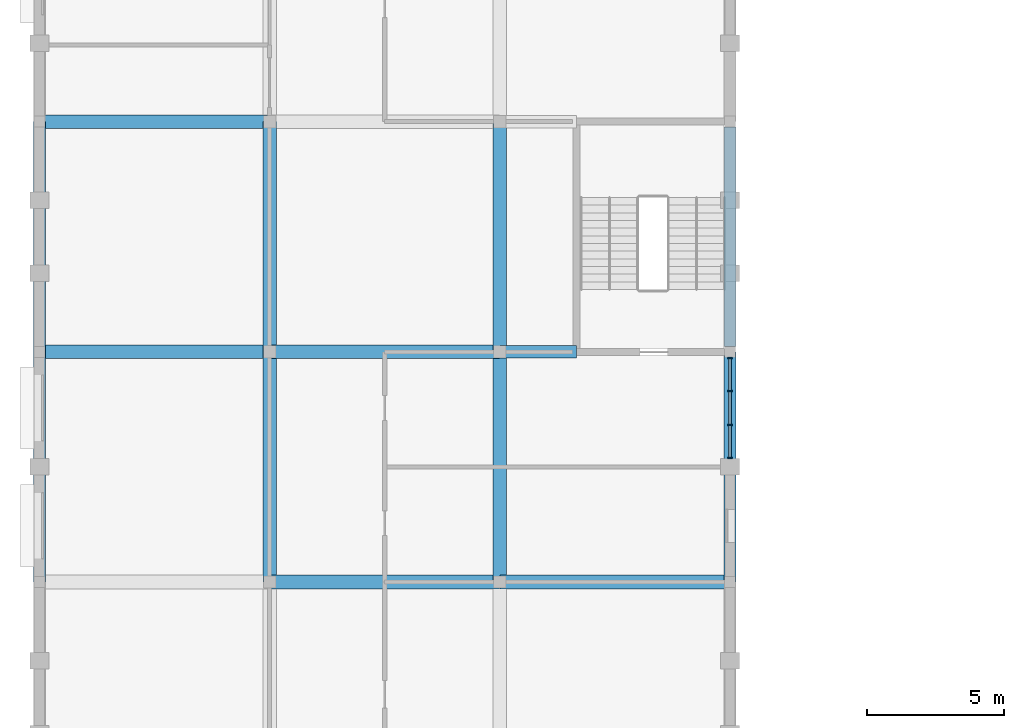
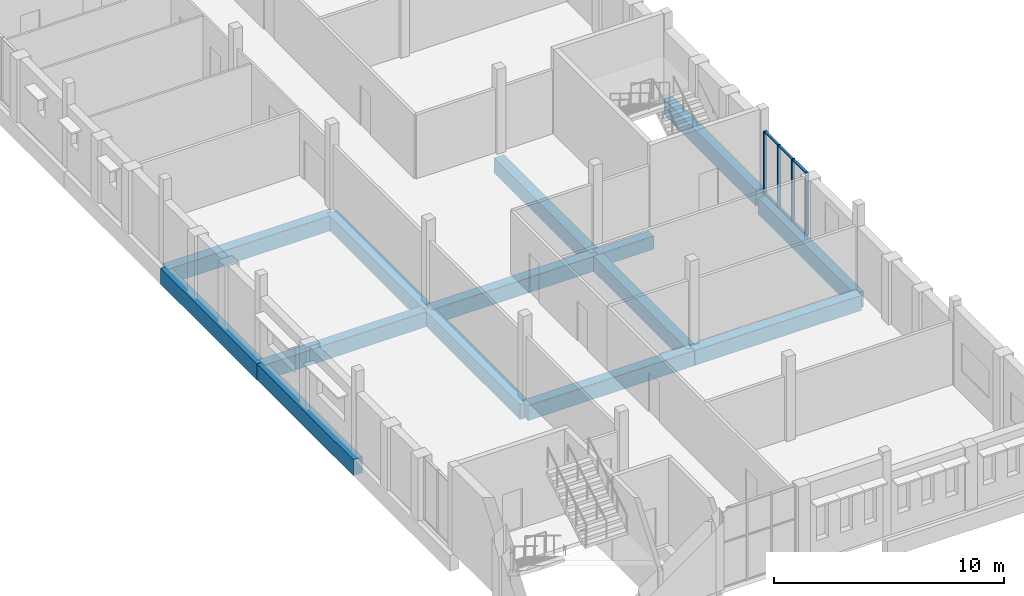
# One storey, part 4 of 30: 14 beams, 10 members, 1 element without a shape of its own.
"""IFC4 building model written with IfcOpenShell, lengths in metres."""

import ifcopenshell
import ifcopenshell.guid

model = None  # the IFC model being written
_history = None  # IfcOwnerHistory: only IFC2X3 demands one
_inside = {}  # id of a spatial element -> (the spatial element, [elements in it])
_under = {}  # id of a project, library or spatial element -> (it, [spatial elements below it])
_declared = {}  # id of a project -> (the project, [libraries it declares])
_typed = {}  # id of a type object -> (the type object, [elements of that type])
_made_of = {}  # id of a material, layer set ... -> (it, [elements and type objects made of it])


def new_model(schema):
    """Start an empty IFC model of exactly this schema.

    Asked for "IFC4X3", IfcOpenShell would pick the latest addendum, in which some entities
    have other attributes; the version numbers below select the first issue.
    IFC2X3 requires an IfcOwnerHistory on every rooted entity: one is made here for all.
    """
    global model, _history
    if schema == "IFC4X3":
        model = ifcopenshell.file(schema_version=(4, 3, 0, 0))
    else:
        model = ifcopenshell.file(schema=schema)
    _inside.clear()
    _under.clear()
    _declared.clear()
    _typed.clear()
    _made_of.clear()
    _history = None
    if model.schema == "IFC2X3":
        org = make("IfcOrganization", Name="unknown")
        user = make(
            "IfcPersonAndOrganization",
            ThePerson=make("IfcPerson", FamilyName="unknown"),
            TheOrganization=org,
        )
        app = make(
            "IfcApplication",
            ApplicationDeveloper=org,
            Version="unknown",
            ApplicationFullName="unknown",
            ApplicationIdentifier="unknown",
        )
        _history = make(
            "IfcOwnerHistory",
            OwningUser=user,
            OwningApplication=app,
            ChangeAction="ADDED",
            CreationDate=0,
        )
    return model


def make(cls, **values):
    """One entity of the class cls with the attributes given. An attribute that is None is left unset."""
    return model.create_entity(
        cls, **{name: value for name, value in values.items() if value is not None}
    )


def rooted(cls, **values):
    """An entity with a GlobalId (a new one), such as an element, a storey or a relation."""
    return make(cls, GlobalId=ifcopenshell.guid.new(), OwnerHistory=_history, **values)


def si_unit(unit_type, name, prefix=None):
    """IfcSIUnit, for example si_unit("LENGTHUNIT", "METRE", prefix="MILLI")."""
    return make("IfcSIUnit", UnitType=unit_type, Prefix=prefix, Name=name)


def assignment(units):
    """IfcUnitAssignment: the units of a project."""
    return None if units is None else make("IfcUnitAssignment", Units=units)


def point(xyz):
    """IfcCartesianPoint."""
    return None if xyz is None else make("IfcCartesianPoint", Coordinates=xyz)


def direction(xyz):
    """IfcDirection."""
    return None if xyz is None else make("IfcDirection", DirectionRatios=xyz)


def frame(location, z_axis=None, x_axis=None):
    """IfcAxis2Placement3D, a coordinate frame: its origin and axes. An axis left out is left unset."""
    return make(
        "IfcAxis2Placement3D",
        Location=point(location),
        Axis=direction(z_axis),
        RefDirection=direction(x_axis),
    )


def frame_2d(location, x_axis=None):
    """IfcAxis2Placement2D, a coordinate frame in the plane: its origin and x axis."""
    return make(
        "IfcAxis2Placement2D", Location=point(location), RefDirection=direction(x_axis)
    )


def origin():
    """The frame at (0, 0, 0) with its axes left unset."""
    return frame((0.0, 0.0, 0.0))


def origin_2d():
    """The frame at (0, 0) in the plane with its x axis left unset."""
    return frame_2d((0.0, 0.0))


def place(relative_to, where):
    """IfcLocalPlacement: puts the frame where relative to a parent placement (None: the world)."""
    return make(
        "IfcLocalPlacement", PlacementRelTo=relative_to, RelativePlacement=where
    )


def context(
    kind, dimensions, precision=None, world=None, true_north=None, identifier=None
):
    """IfcGeometricRepresentationContext, for example the 3D "Model" context."""
    return make(
        "IfcGeometricRepresentationContext",
        ContextIdentifier=identifier,
        ContextType=kind,
        CoordinateSpaceDimension=dimensions,
        Precision=precision,
        WorldCoordinateSystem=world,
        TrueNorth=true_north,
    )


def subcontext(parent, identifier, kind, view, scale=None):
    """IfcGeometricRepresentationSubContext, for example "Body" below "Model"."""
    return make(
        "IfcGeometricRepresentationSubContext",
        ContextIdentifier=identifier,
        ContextType=kind,
        ParentContext=parent,
        TargetScale=scale,
        TargetView=view,
    )


def project(units=None, contexts=None):
    """IfcProject with its units and contexts."""
    return rooted(
        "IfcProject",
        Name="project",
        RepresentationContexts=contexts,
        UnitsInContext=assignment(units),
    )


def spatial(cls, under=None, at=None, **own):
    """A site, building, storey or space (cls), placed at a placement, below another one or the project."""
    s = rooted(cls, ObjectPlacement=at, **own)
    if under is not None:
        _under.setdefault(under.id(), (under, []))[1].append(s)
    return s


def profile(cls, at=None, kind="AREA", **sizes):
    """A parametric profile (cls). Its sizes go by their IFC names, for example OverallWidth=200.0."""
    return make(cls, ProfileType=kind, Position=at, **sizes)


def rectangle(**sizes):
    """IfcRectangleProfileDef."""
    return profile("IfcRectangleProfileDef", **sizes)


def extrude(swept, where, along, depth):
    """IfcExtrudedAreaSolid: the profile swept, set in the frame where, extruded along a direction by depth."""
    return make(
        "IfcExtrudedAreaSolid",
        SweptArea=swept,
        Position=where,
        ExtrudedDirection=direction(along),
        Depth=depth,
    )


def shape(context_of_items, identifier, shape_type, items):
    """IfcShapeRepresentation: the items that make up one representation, for example the "Body"."""
    return make(
        "IfcShapeRepresentation",
        ContextOfItems=context_of_items,
        RepresentationIdentifier=identifier,
        RepresentationType=shape_type,
        Items=items,
    )


def material(Name=None, Category=None):
    """IfcMaterial."""
    return make("IfcMaterial", Name=Name, Category=Category)


def material_profile(
    of_material, cross_section, Name=None, Category=None, Priority=None
):
    """IfcMaterialProfile: a cross section and its material."""
    return make(
        "IfcMaterialProfile",
        Name=Name,
        Material=of_material,
        Profile=cross_section,
        Priority=Priority,
        Category=Category,
    )


def profile_set(profiles, Name=None, composite=None):
    """IfcMaterialProfileSet."""
    return make(
        "IfcMaterialProfileSet",
        Name=Name,
        MaterialProfiles=profiles,
        CompositeProfile=composite,
    )


def made_of(thing, what):
    """Note that an element or type object is made of a material, layer set ...; save() writes the relation."""
    if what is not None:
        _made_of.setdefault(what.id(), (what, []))[1].append(thing)
    return thing


def type_object(cls, material=None, **own):
    """A type object (cls), such as IfcWallType, which elements share."""
    return made_of(rooted(cls, **own), material)


def element(
    cls,
    number,
    at=None,
    inside=None,
    cuts=None,
    type_object=None,
    material=None,
    context=None,
    identifier="Body",
    shape_type=None,
    held_by="IfcProductDefinitionShape",
    body=None,
    shapes=None,
    **own,
):
    """One element of the class cls, such as IfcWall. Its Tag is "e" and its number.

    at: its placement. inside: the storey or other place that contains it. cuts: it is an
    opening in that element (IfcRelVoidsElement). A single representation is given by context,
    identifier, shape_type and body (its items); several are given by shapes. held_by: the class
    of the entity that holds the representations. save() writes the other relations.
    """
    e = rooted(cls, Tag="e%d" % number, ObjectPlacement=at, **own)
    if body is not None:
        shapes = [shape(context, identifier, shape_type, body)]
    if shapes is not None:
        e.Representation = make(held_by, Representations=shapes)
    if inside is not None:
        _inside.setdefault(inside.id(), (inside, []))[1].append(e)
    if cuts is not None:
        rooted(
            "IfcRelVoidsElement", RelatingBuildingElement=cuts, RelatedOpeningElement=e
        )
    if type_object is not None:
        _typed.setdefault(type_object.id(), (type_object, []))[1].append(e)
    return made_of(e, material)


def aggregate(whole, parts):
    """IfcRelAggregates: a whole, such as a stair, and the parts it consists of."""
    return rooted("IfcRelAggregates", RelatingObject=whole, RelatedObjects=parts)


def save(model, path):
    """Write the relations noted so far, then the file.

    IfcRelAggregates (storeys below a building ...), IfcRelContainedInSpatialStructure (elements
    in a storey), IfcRelDefinesByType, IfcRelAssociatesMaterial and IfcRelDeclares: one each for
    every whole, place, type object, material and project.
    """
    for whole, parts in _under.values():
        aggregate(whole, parts)
    for where, things in _inside.values():
        rooted(
            "IfcRelContainedInSpatialStructure",
            RelatedElements=things,
            RelatingStructure=where,
        )
    for kind, things in _typed.values():
        rooted("IfcRelDefinesByType", RelatedObjects=things, RelatingType=kind)
    for what, things in _made_of.values():
        rooted("IfcRelAssociatesMaterial", RelatedObjects=things, RelatingMaterial=what)
    for by, libraries in _declared.values():
        rooted("IfcRelDeclares", RelatingContext=by, RelatedDefinitions=libraries)
    model.write(path)


model = new_model("IFC4")

# Units and contexts
model_context = context("Model", 3, precision=1e-05, world=origin(), true_north=direction((0.0, 1.0)))
body_context = subcontext(model_context, "Body", "Model", "MODEL_VIEW")
ifc_project = project(units=[si_unit("LENGTHUNIT", "METRE"), si_unit("AREAUNIT", "SQUARE_METRE"), si_unit("VOLUMEUNIT", "CUBIC_METRE"), si_unit("PLANEANGLEUNIT", "RADIAN"), si_unit("MASSUNIT", "GRAM", prefix="KILO")], contexts=[model_context])

# Site, building, storey
site_placement = place(None, origin())
site = spatial("IfcSite", under=ifc_project, at=site_placement, CompositionType="ELEMENT")
building_placement = place(site_placement, origin())
building = spatial("IfcBuilding", under=site, at=building_placement, Name="Fescue Hill Polytechnic", CompositionType="ELEMENT")
storey_placement = place(building_placement, frame((0.0, 0.0, 22.5)))
storey = spatial("IfcBuildingStorey", under=building, at=storey_placement, Name="L05", CompositionType="ELEMENT", Elevation=22.5)

# Beams
ifc_material_1 = material(Name="Concrete 35 MPa", Category="concrete")
ifc_material_profile_1 = material_profile(ifc_material_1, rectangle(XDim=0.449951171875, YDim=0.699951171875, at=origin_2d()), Name="RC 450x700")
ifc_profile_set_1 = profile_set([ifc_material_profile_1], Name="Concrete 35 MPa")
beam_type_1 = type_object("IfcBeamType", Name="Beam RC 450x700", PredefinedType="BEAM", material=ifc_profile_set_1)
beam_1_placement = place(storey_placement, frame((16.81005859375, 75.60009765625, -0.64990234375), z_axis=(1.0, 0.0, 0.0), x_axis=(0.0, 1.0, 0.0)))
element("IfcBeam", 1, at=beam_1_placement, inside=storey, type_object=beam_type_1, Name="BM-L05-0045", PredefinedType="BEAM", context=body_context, shape_type="SweptSolid", body=[
    extrude(rectangle(XDim=0.449951171875, YDim=0.699951171875, at=origin_2d()), origin(), (0.0, 0.0, 1.0), 2.7900390625),
])
ifc_material_profile_2 = material_profile(ifc_material_1, rectangle(XDim=0.449951171875, YDim=0.85009765625, at=origin_2d()), Name="RC 450x850")
ifc_profile_set_2 = profile_set([ifc_material_profile_2], Name="Concrete 35 MPa")
beam_type_2 = type_object("IfcBeamType", Name="Beam RC 450x850", PredefinedType="BEAM", material=ifc_profile_set_2)
beam_2_placement = place(storey_placement, frame((0.0, 67.199951171875, -0.72509765625), z_axis=(0.0, 1.0, 0.0), x_axis=(-1.0, 0.0, 0.0)))
element("IfcBeam", 2, at=beam_2_placement, inside=storey, type_object=beam_type_2, Name="BM-L05-0002", PredefinedType="BEAM", context=body_context, shape_type="SweptSolid", body=[
    extrude(rectangle(XDim=0.449951171875, YDim=0.85009765625, at=origin_2d()), origin(), (0.0, 0.0, 1.0), 8.400146484375),
])
beam_3_placement = place(storey_placement, frame((0.0, 75.60009765625, -0.72509765625), z_axis=(0.0, 1.0, 0.0), x_axis=(-1.0, 0.0, 0.0)))
element("IfcBeam", 3, at=beam_3_placement, inside=storey, type_object=beam_type_2, Name="BM-L05-0003", PredefinedType="BEAM", context=body_context, shape_type="SweptSolid", body=[
    extrude(rectangle(XDim=0.449951171875, YDim=0.85009765625, at=origin_2d()), origin(), (0.0, 0.0, 1.0), 8.39990234375),
])
beam_4_placement = place(storey_placement, frame((25.199951171875, 67.199951171875, -0.72509765625), z_axis=(0.0, 1.0, 0.0), x_axis=(-1.0, 0.0, 0.0)))
element("IfcBeam", 4, at=beam_4_placement, inside=storey, type_object=beam_type_2, Name="BM-L05-0052", PredefinedType="BEAM", context=body_context, shape_type="SweptSolid", body=[
    extrude(rectangle(XDim=0.449951171875, YDim=0.85009765625, at=origin_2d()), origin(), (0.0, 0.0, 1.0), 8.400146484375),
])
beam_5_placement = place(storey_placement, frame((25.199951171875, 75.800048828125, -0.425048828125), z_axis=(0.0, 1.0, 0.0), x_axis=(-1.0, 0.0, 0.0)))
element("IfcBeam", 5, at=beam_5_placement, inside=storey, type_object=beam_type_2, Name="BM-L05-0110", PredefinedType="BEAM", context=body_context, shape_type="SweptSolid", body=[
    extrude(rectangle(XDim=0.449951171875, YDim=0.85009765625, at=origin_2d()), origin(), (0.0, 0.0, 1.0), 8.0),
])
ifc_material_profile_3 = material_profile(ifc_material_1, rectangle(XDim=0.5, YDim=0.800048828125, at=origin_2d()), Name="RC 500x800")
ifc_profile_set_3 = profile_set([ifc_material_profile_3], Name="Concrete 35 MPa")
beam_type_3 = type_object("IfcBeamType", Name="Beam RC 500x800", PredefinedType="BEAM", material=ifc_profile_set_3)
for number, where, z_axis, x_axis, name in (
    (6, (0.010009765625, 75.60009765625, -0.699951171875), (1.0, 0.0, 0.0), (0.0, 1.0, 0.0), "BM-L05-0009"),
    (7, (0.010009765625, 84.0, -0.699951171875), (1.0, 0.0, 0.0), (0.0, 1.0, 0.0), "BM-L05-0010"),
):
    element("IfcBeam", number, at=place(storey_placement, frame(where, z_axis=z_axis, x_axis=x_axis)), inside=storey, type_object=beam_type_3, Name=name, PredefinedType="BEAM", context=body_context, shape_type="SweptSolid", body=[
        extrude(rectangle(XDim=0.5, YDim=0.800048828125, at=origin_2d()), origin(), (0.0, 0.0, 1.0), 8.3798828125),
    ])
beam_6_placement = place(storey_placement, frame((8.39990234375, 67.199951171875, -0.699951171875), z_axis=(0.0, 1.0, 0.0), x_axis=(-1.0, 0.0, 0.0)))
element("IfcBeam", 8, at=beam_6_placement, inside=storey, type_object=beam_type_3, Name="BM-L05-0018", PredefinedType="BEAM", context=body_context, shape_type="SweptSolid", body=[
    extrude(rectangle(XDim=0.5, YDim=0.800048828125, at=origin_2d()), origin(), (0.0, 0.0, 1.0), 8.400146484375),
])
beam_7_placement = place(storey_placement, frame((8.39990234375, 75.60009765625, -0.699951171875), z_axis=(0.0, 1.0, 0.0), x_axis=(-1.0, 0.0, 0.0)))
element("IfcBeam", 9, at=beam_7_placement, inside=storey, type_object=beam_type_3, Name="BM-L05-0019", PredefinedType="BEAM", context=body_context, shape_type="SweptSolid", body=[
    extrude(rectangle(XDim=0.5, YDim=0.800048828125, at=origin_2d()), origin(), (0.0, 0.0, 1.0), 8.39990234375),
])
for number, where, z_axis, x_axis, name in (
    (10, (8.409912109375, 67.199951171875, -0.699951171875), (1.0, 0.0, 0.0), (0.0, 1.0, 0.0), "BM-L05-0025"),
    (11, (8.409912109375, 75.60009765625, -0.699951171875), (1.0, 0.0, 0.0), (0.0, 1.0, 0.0), "BM-L05-0026"),
):
    element("IfcBeam", number, at=place(storey_placement, frame(where, z_axis=z_axis, x_axis=x_axis)), inside=storey, type_object=beam_type_3, Name=name, PredefinedType="BEAM", context=body_context, shape_type="SweptSolid", body=[
        extrude(rectangle(XDim=0.5, YDim=0.800048828125, at=origin_2d()), origin(), (0.0, 0.0, 1.0), 8.380126953125),
    ])
beam_8_placement = place(storey_placement, frame((16.800048828125, 67.199951171875, -0.699951171875), z_axis=(0.0, 1.0, 0.0), x_axis=(-1.0, 0.0, 0.0)))
element("IfcBeam", 12, at=beam_8_placement, inside=storey, type_object=beam_type_3, Name="BM-L05-0034", PredefinedType="BEAM", context=body_context, shape_type="SweptSolid", body=[
    extrude(rectangle(XDim=0.5, YDim=0.800048828125, at=origin_2d()), origin(), (0.0, 0.0, 1.0), 8.400146484375),
])
beam_9_placement = place(storey_placement, frame((16.800048828125, 75.60009765625, -0.699951171875), z_axis=(0.0, 1.0, 0.0), x_axis=(-1.0, 0.0, 0.0)))
element("IfcBeam", 13, at=beam_9_placement, inside=storey, type_object=beam_type_3, Name="BM-L05-0035", PredefinedType="BEAM", context=body_context, shape_type="SweptSolid", body=[
    extrude(rectangle(XDim=0.5, YDim=0.800048828125, at=origin_2d()), origin(), (0.0, 0.0, 1.0), 8.39990234375),
])
beam_10_placement = place(storey_placement, frame((16.81005859375, 67.199951171875, -0.699951171875), z_axis=(1.0, 0.0, 0.0), x_axis=(0.0, 1.0, 0.0)))
element("IfcBeam", 14, at=beam_10_placement, inside=storey, type_object=beam_type_3, Name="BM-L05-0044", PredefinedType="BEAM", context=body_context, shape_type="SweptSolid", body=[
    extrude(rectangle(XDim=0.5, YDim=0.800048828125, at=origin_2d()), origin(), (0.0, 0.0, 1.0), 8.3798828125),
])

# Curtain wall, members
ifc_material_2 = material(Name="Glass", Category="glass")
curtain_wall_type = type_object("IfcCurtainWallType", Name="Curtain wall structural glazing", PredefinedType="NOTDEFINED", material=ifc_material_2)
curtain_wall_placement = place(storey_placement, origin())
curtain_wall = element("IfcCurtainWall", 15, at=curtain_wall_placement, inside=storey, type_object=curtain_wall_type, Name="CW-L05-V4-X3", PredefinedType="NOTDEFINED")
ifc_material_3 = material(Name="Powder-coated aluminium", Category="aluminium")
ifc_material_profile_4 = material_profile(ifc_material_3, rectangle(XDim=0.159912109375, YDim=0.06005859375, at=origin_2d()), Name="Mullion aluminium 60x160")
ifc_profile_set_4 = profile_set([ifc_material_profile_4], Name="Powder-coated aluminium")
member_type_1 = type_object("IfcMemberType", Name="Mullion aluminium 60x160", PredefinedType="MULLION", material=ifc_profile_set_4)
member_1_placement = place(storey_placement, frame((25.199951171875, 71.72998046875, 0.0), z_axis=(0.0, 0.0, 1.0), x_axis=(-1.0, 0.0, 0.0)))
member_1 = element("IfcMember", 16, at=member_1_placement, type_object=member_type_1, Name="CW138 mullion 1", PredefinedType="MULLION", context=body_context, shape_type="SweptSolid", body=[
    extrude(rectangle(XDim=0.159912109375, YDim=0.06005859375, at=origin_2d()), origin(), (0.0, 0.0, 1.0), 3.330078125),
])
member_2_placement = place(storey_placement, frame((25.199951171875, 72.933349609375, 0.0), z_axis=(0.0, 0.0, 1.0), x_axis=(-1.0, 0.0, 0.0)))
member_2 = element("IfcMember", 17, at=member_2_placement, type_object=member_type_1, Name="CW138 mullion 2", PredefinedType="MULLION", context=body_context, shape_type="SweptSolid", body=[
    extrude(rectangle(XDim=0.159912109375, YDim=0.06005859375, at=origin_2d()), origin(), (0.0, 0.0, 1.0), 3.330078125),
])
member_3_placement = place(storey_placement, frame((25.199951171875, 74.166748046875, 0.0), z_axis=(0.0, 0.0, 1.0), x_axis=(-1.0, 0.0, 0.0)))
member_3 = element("IfcMember", 18, at=member_3_placement, type_object=member_type_1, Name="CW138 mullion 3", PredefinedType="MULLION", context=body_context, shape_type="SweptSolid", body=[
    extrude(rectangle(XDim=0.159912109375, YDim=0.06005859375, at=origin_2d()), origin(), (0.0, 0.0, 1.0), 3.330078125),
])
member_4_placement = place(storey_placement, frame((25.199951171875, 75.3701171875, 0.0), z_axis=(0.0, 0.0, 1.0), x_axis=(-1.0, 0.0, 0.0)))
member_4 = element("IfcMember", 19, at=member_4_placement, type_object=member_type_1, Name="CW138 mullion 4", PredefinedType="MULLION", context=body_context, shape_type="SweptSolid", body=[
    extrude(rectangle(XDim=0.159912109375, YDim=0.06005859375, at=origin_2d()), origin(), (0.0, 0.0, 1.0), 3.330078125),
])
ifc_material_profile_5 = material_profile(ifc_material_3, rectangle(XDim=0.1201171875, YDim=0.06005859375, at=origin_2d()), Name="Transom aluminium 60x120")
ifc_profile_set_5 = profile_set([ifc_material_profile_5], Name="Powder-coated aluminium")
member_type_2 = type_object("IfcMemberType", Name="Transom aluminium 60x120", PredefinedType="USERDEFINED", material=ifc_profile_set_5)
member_5_placement = place(storey_placement, frame((25.199951171875, 71.760009765625, 0.030029296875), z_axis=(0.0, 1.0, 0.0), x_axis=(-1.0, 0.0, 0.0)))
member_5 = element("IfcMember", 20, at=member_5_placement, type_object=member_type_2, Name="CW138 transom 1.1", ObjectType="TRANSOM", PredefinedType="USERDEFINED", context=body_context, shape_type="SweptSolid", body=[
    extrude(rectangle(XDim=0.1201171875, YDim=0.06005859375, at=origin_2d()), origin(), (0.0, 0.0, 1.0), 1.143310546875),
])
member_6_placement = place(storey_placement, frame((25.199951171875, 71.760009765625, 3.300048828125), z_axis=(0.0, 1.0, 0.0), x_axis=(-1.0, 0.0, 0.0)))
member_6 = element("IfcMember", 21, at=member_6_placement, type_object=member_type_2, Name="CW138 transom 1.2", ObjectType="TRANSOM", PredefinedType="USERDEFINED", context=body_context, shape_type="SweptSolid", body=[
    extrude(rectangle(XDim=0.1201171875, YDim=0.06005859375, at=origin_2d()), origin(), (0.0, 0.0, 1.0), 1.143310546875),
])
member_7_placement = place(storey_placement, frame((25.199951171875, 72.96337890625, 0.030029296875), z_axis=(0.0, 1.0, 0.0), x_axis=(-1.0, 0.0, 0.0)))
member_7 = element("IfcMember", 22, at=member_7_placement, type_object=member_type_2, Name="CW138 transom 2.1", ObjectType="TRANSOM", PredefinedType="USERDEFINED", context=body_context, shape_type="SweptSolid", body=[
    extrude(rectangle(XDim=0.1201171875, YDim=0.06005859375, at=origin_2d()), origin(), (0.0, 0.0, 1.0), 1.17333984375),
])
member_8_placement = place(storey_placement, frame((25.199951171875, 72.96337890625, 3.300048828125), z_axis=(0.0, 1.0, 0.0), x_axis=(-1.0, 0.0, 0.0)))
member_8 = element("IfcMember", 23, at=member_8_placement, type_object=member_type_2, Name="CW138 transom 2.2", ObjectType="TRANSOM", PredefinedType="USERDEFINED", context=body_context, shape_type="SweptSolid", body=[
    extrude(rectangle(XDim=0.1201171875, YDim=0.06005859375, at=origin_2d()), origin(), (0.0, 0.0, 1.0), 1.17333984375),
])
member_9_placement = place(storey_placement, frame((25.199951171875, 74.19677734375, 0.030029296875), z_axis=(0.0, 1.0, 0.0), x_axis=(-1.0, 0.0, 0.0)))
member_9 = element("IfcMember", 24, at=member_9_placement, type_object=member_type_2, Name="CW138 transom 3.1", ObjectType="TRANSOM", PredefinedType="USERDEFINED", context=body_context, shape_type="SweptSolid", body=[
    extrude(rectangle(XDim=0.1201171875, YDim=0.06005859375, at=origin_2d()), origin(), (0.0, 0.0, 1.0), 1.143310546875),
])
member_10_placement = place(storey_placement, frame((25.199951171875, 74.19677734375, 3.300048828125), z_axis=(0.0, 1.0, 0.0), x_axis=(-1.0, 0.0, 0.0)))
member_10 = element("IfcMember", 25, at=member_10_placement, type_object=member_type_2, Name="CW138 transom 3.2", ObjectType="TRANSOM", PredefinedType="USERDEFINED", context=body_context, shape_type="SweptSolid", body=[
    extrude(rectangle(XDim=0.1201171875, YDim=0.06005859375, at=origin_2d()), origin(), (0.0, 0.0, 1.0), 1.143310546875),
])
aggregate(curtain_wall, [member_1, member_2, member_3, member_4, member_5, member_6, member_7, member_8, member_9, member_10])

save(model, "model.ifc")
